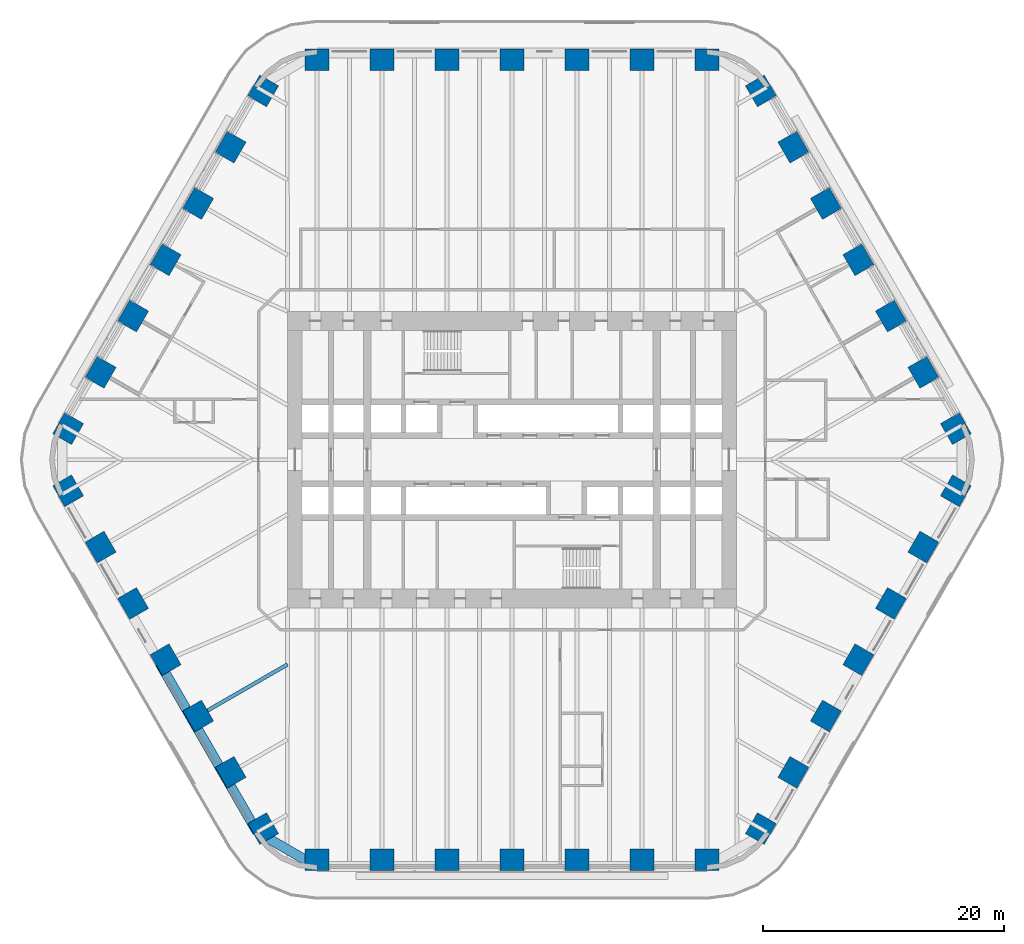
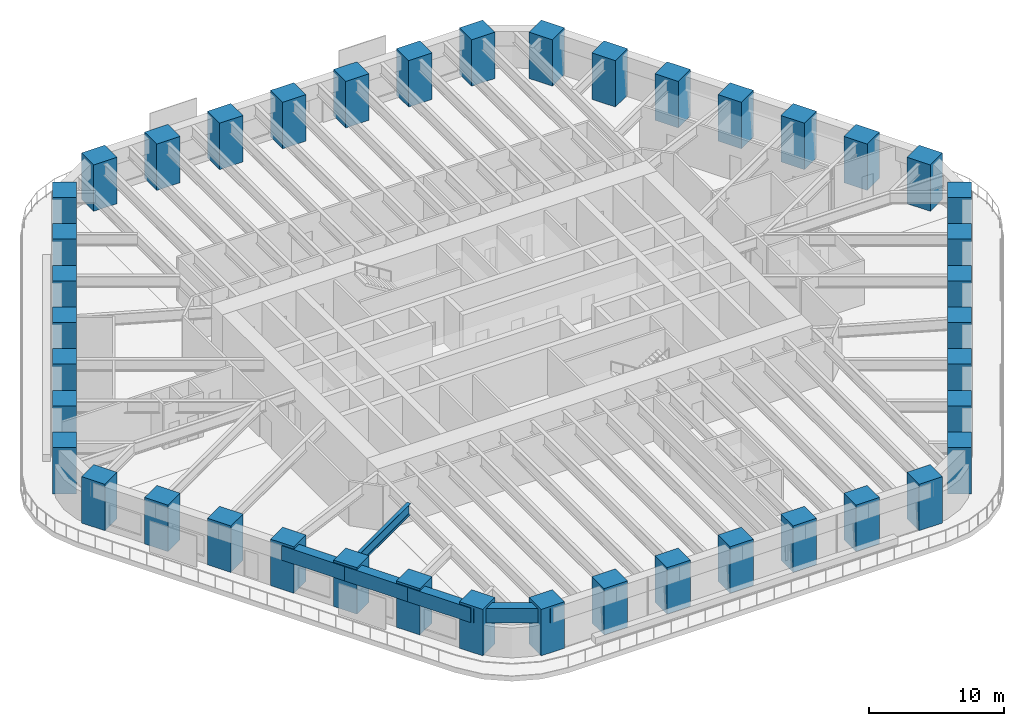
# One storey, part 1 of 23: 42 columns, 5 beams.
"""IFC4 building model written with IfcOpenShell, lengths in metres."""

from ifc_helpers import new_model, si_unit, direction, frame, origin, origin_2d, place, context, subcontext, project, spatial, rectangle, i_section, extrude, material, material_profile, profile_set, type_object, element, save


model = new_model("IFC4")

# Units and contexts
model_context = context("Model", 3, precision=1e-05, world=origin(), true_north=direction((0.0, 1.0)))
body_context = subcontext(model_context, "Body", "Model", "MODEL_VIEW")
ifc_project = project(units=[si_unit("LENGTHUNIT", "METRE"), si_unit("AREAUNIT", "SQUARE_METRE"), si_unit("VOLUMEUNIT", "CUBIC_METRE"), si_unit("PLANEANGLEUNIT", "RADIAN"), si_unit("MASSUNIT", "GRAM", prefix="KILO")], contexts=[model_context])

# Site, building, storey
site_placement = place(None, origin())
site = spatial("IfcSite", under=ifc_project, at=site_placement, CompositionType="ELEMENT")
building_placement = place(site_placement, origin())
building = spatial("IfcBuilding", under=site, at=building_placement, Name="Tarfa Lantern Tower", CompositionType="ELEMENT")
storey_placement = place(building_placement, frame((0.0, 0.0, 48.699951171875)))
storey = spatial("IfcBuildingStorey", under=building, at=storey_placement, Name="L10", CompositionType="ELEMENT", Elevation=48.699951171875)

# Columns
ifc_material_1 = material(Name="Concrete C80/95", Category="concrete")
ifc_material_profile_1 = material_profile(ifc_material_1, rectangle(XDim=2.0, YDim=1.800048828125, at=origin_2d()), Name="RC 2000x1800")
ifc_profile_set_1 = profile_set([ifc_material_profile_1], Name="Concrete C80/95")
column_type = type_object("IfcColumnType", Name="TC2 RC 2000x1800", PredefinedType="COLUMN", material=ifc_profile_set_1)
for number, where, z_axis, x_axis, name in (
    (1, (36.791748046875, 2.574951171875, 0.0), (0.0, 0.0, 1.0), (-0.5, 0.866025403784, 0.0), "Tube column NE0"),
    (2, (34.097412109375, 7.24169921875, 0.0), (0.0, 0.0, 1.0), (-0.5, 0.866025403784, 0.0), "Tube column NE1"),
    (3, (31.403076171875, 11.908447265625, 0.0), (0.0, 0.0, 1.0), (-0.5, 0.866025403784, 0.0), "Tube column NE2"),
    (4, (28.708740234375, 16.574951171875, 0.0), (0.0, 0.0, 1.0), (-0.5, 0.866025403784, 0.0), "Tube column NE3"),
    (5, (26.014404296875, 21.24169921875, 0.0), (0.0, 0.0, 1.0), (-0.5, 0.866025403784, 0.0), "Tube column NE4"),
    (6, (23.320068359375, 25.908447265625, 0.0), (0.0, 0.0, 1.0), (-0.5, 0.866025403784, 0.0), "Tube column NE5"),
    (7, (20.625732421875, 30.574951171875, 0.0), (0.0, 0.0, 1.0), (-0.5, 0.866025403784, 0.0), "Tube column NE6"),
    (8, (16.165771484375, 33.14990234375, 0.0), (0.0, 0.0, 1.0), (-1.0, 0.0, 0.0), "Tube column N0"),
    (9, (10.777099609375, 33.14990234375, 0.0), (0.0, 0.0, 1.0), (-1.0, 0.0, 0.0), "Tube column N1"),
    (10, (5.388671875, 33.14990234375, 0.0), (0.0, 0.0, 1.0), (-1.0, 0.0, 0.0), "Tube column N2"),
    (11, (0.0, 33.14990234375, 0.0), (0.0, 0.0, 1.0), (-1.0, 0.0, 0.0), "Tube column N3"),
    (12, (-5.388671875, 33.14990234375, 0.0), (0.0, 0.0, 1.0), (-1.0, 0.0, 0.0), "Tube column N4"),
    (13, (-10.777099609375, 33.14990234375, 0.0), (0.0, 0.0, 1.0), (-1.0, 0.0, 0.0), "Tube column N5"),
    (14, (-16.165771484375, 33.14990234375, 0.0), (0.0, 0.0, 1.0), (-1.0, 0.0, 0.0), "Tube column N6"),
    (15, (-20.625732421875, 30.574951171875, 0.0), (0.0, 0.0, 1.0), (-0.5, -0.866025403784, 0.0), "Tube column NW0"),
    (16, (-23.320068359375, 25.908447265625, 0.0), (0.0, 0.0, 1.0), (-0.5, -0.866025403784, 0.0), "Tube column NW1"),
    (17, (-26.014404296875, 21.24169921875, 0.0), (0.0, 0.0, 1.0), (-0.5, -0.866025403784, 0.0), "Tube column NW2"),
    (18, (-28.708740234375, 16.574951171875, 0.0), (0.0, 0.0, 1.0), (-0.5, -0.866025403784, 0.0), "Tube column NW3"),
    (19, (-31.403076171875, 11.908447265625, 0.0), (0.0, 0.0, 1.0), (-0.5, -0.866025403784, 0.0), "Tube column NW4"),
    (20, (-34.097412109375, 7.24169921875, 0.0), (0.0, 0.0, 1.0), (-0.5, -0.866025403784, 0.0), "Tube column NW5"),
    (21, (-36.791748046875, 2.574951171875, 0.0), (0.0, 0.0, 1.0), (-0.5, -0.866025403784, 0.0), "Tube column NW6"),
    (22, (-36.791748046875, -2.574951171875, 0.0), (0.0, 0.0, 1.0), (0.5, -0.866025403784, 0.0), "Tube column SW0"),
    (23, (-34.097412109375, -7.24169921875, 0.0), (0.0, 0.0, 1.0), (0.5, -0.866025403784, 0.0), "Tube column SW1"),
    (24, (-31.403076171875, -11.908447265625, 0.0), (0.0, 0.0, 1.0), (0.5, -0.866025403784, 0.0), "Tube column SW2"),
    (25, (-28.708740234375, -16.574951171875, 0.0), (0.0, 0.0, 1.0), (0.5, -0.866025403784, 0.0), "Tube column SW3"),
    (26, (-26.014404296875, -21.24169921875, 0.0), (0.0, 0.0, 1.0), (0.5, -0.866025403784, 0.0), "Tube column SW4"),
    (27, (-23.320068359375, -25.908447265625, 0.0), (0.0, 0.0, 1.0), (0.5, -0.866025403784, 0.0), "Tube column SW5"),
    (28, (-20.625732421875, -30.574951171875, 0.0), (0.0, 0.0, 1.0), (0.5, -0.866025403784, 0.0), "Tube column SW6"),
    (29, (-16.165771484375, -33.14990234375, 0.0), (0.0, 0.0, 1.0), (1.0, 0.0, 0.0), "Tube column S0"),
    (30, (-10.777099609375, -33.14990234375, 0.0), (0.0, 0.0, 1.0), (1.0, 0.0, 0.0), "Tube column S1"),
    (31, (-5.388671875, -33.14990234375, 0.0), (0.0, 0.0, 1.0), (1.0, 0.0, 0.0), "Tube column S2"),
    (32, (0.0, -33.14990234375, 0.0), (0.0, 0.0, 1.0), (1.0, 0.0, 0.0), "Tube column S3"),
    (33, (5.388671875, -33.14990234375, 0.0), (0.0, 0.0, 1.0), (1.0, 0.0, 0.0), "Tube column S4"),
    (34, (10.777099609375, -33.14990234375, 0.0), (0.0, 0.0, 1.0), (1.0, 0.0, 0.0), "Tube column S5"),
    (35, (16.165771484375, -33.14990234375, 0.0), (0.0, 0.0, 1.0), (1.0, 0.0, 0.0), "Tube column S6"),
    (36, (20.625732421875, -30.574951171875, 0.0), (0.0, 0.0, 1.0), (0.5, 0.866025403784, 0.0), "Tube column SE0"),
    (37, (23.320068359375, -25.908447265625, 0.0), (0.0, 0.0, 1.0), (0.5, 0.866025403784, 0.0), "Tube column SE1"),
    (38, (26.014404296875, -21.24169921875, 0.0), (0.0, 0.0, 1.0), (0.5, 0.866025403784, 0.0), "Tube column SE2"),
    (39, (28.708740234375, -16.574951171875, 0.0), (0.0, 0.0, 1.0), (0.5, 0.866025403784, 0.0), "Tube column SE3"),
    (40, (31.403076171875, -11.908447265625, 0.0), (0.0, 0.0, 1.0), (0.5, 0.866025403784, 0.0), "Tube column SE4"),
    (41, (34.097412109375, -7.24169921875, 0.0), (0.0, 0.0, 1.0), (0.5, 0.866025403784, 0.0), "Tube column SE5"),
    (42, (36.791748046875, -2.574951171875, 0.0), (0.0, 0.0, 1.0), (0.5, 0.866025403784, 0.0), "Tube column SE6"),
):
    element("IfcColumn", number, at=place(storey_placement, frame(where, z_axis=z_axis, x_axis=x_axis)), inside=storey, type_object=column_type, Name=name, PredefinedType="COLUMN", context=body_context, shape_type="SweptSolid", body=[
        extrude(rectangle(XDim=2.0, YDim=1.800048828125, at=origin_2d()), origin(), (0.0, 0.0, 1.0), 4.199951171875),
    ])

# Beams
ifc_material_profile_2 = material_profile(ifc_material_1, rectangle(XDim=0.800048828125, YDim=1.300048828125, at=origin_2d()), Name="RC 800x1300")
ifc_profile_set_2 = profile_set([ifc_material_profile_2], Name="Concrete C80/95")
beam_type_1 = type_object("IfcBeamType", Name="EB1 RC 800x1300", PredefinedType="SPANDREL", material=ifc_profile_set_2)
beam_1_placement = place(storey_placement, frame((-29.202392578125, -16.860107421875, 3.35009765625), z_axis=(0.500017906299, -0.866015065331, 0.0), x_axis=(0.866015065331, 0.500017906299, 0.0)))
element("IfcBeam", 43, at=beam_1_placement, inside=storey, type_object=beam_type_1, Name="Edge beam SW3", PredefinedType="SPANDREL", context=body_context, shape_type="SweptSolid", body=[
    extrude(rectangle(XDim=0.800048828125, YDim=1.300048828125, at=origin_2d()), origin(), (0.0, 0.0, 1.0), 5.388427734375),
])
for number, where, z_axis, x_axis, name in (
    (44, (-26.508056640625, -21.526611328125, 3.35009765625), (0.499998287579, -0.866026392449, 0.0), (0.866026392449, 0.499998287579, 0.0), "Edge beam SW4"),
    (45, (-23.813720703125, -26.193359375, 3.35009765625), (0.499998287579, -0.866026392449, 0.0), (0.866026392449, 0.499998287579, 0.0), "Edge beam SW5"),
):
    element("IfcBeam", number, at=place(storey_placement, frame(where, z_axis=z_axis, x_axis=x_axis)), inside=storey, type_object=beam_type_1, Name=name, PredefinedType="SPANDREL", context=body_context, shape_type="SweptSolid", body=[
        extrude(rectangle(XDim=0.800048828125, YDim=1.300048828125, at=origin_2d()), origin(), (0.0, 0.0, 1.0), 5.388671875),
    ])
beam_2_placement = place(storey_placement, frame((-21.119384765625, -30.860107421875, 3.35009765625), z_axis=(0.866033479681, -0.499986011877, 0.0), x_axis=(0.499986011877, 0.866033479681, 0.0)))
element("IfcBeam", 46, at=beam_2_placement, inside=storey, type_object=beam_type_1, Name="Edge beam SW6", PredefinedType="SPANDREL", context=body_context, shape_type="SweptSolid", body=[
    extrude(rectangle(XDim=0.800048828125, YDim=1.300048828125, at=origin_2d()), origin(), (0.0, 0.0, 1.0), 5.719970703125),
])
ifc_material_2 = material(Name="Steel S460M", Category="steel")
ifc_material_profile_3 = material_profile(ifc_material_2, i_section(OverallWidth=0.302001953125, OverallDepth=1.008056640625, WebThickness=0.02099609375, FlangeThickness=0.0400390625, FilletRadius=0.030029296875, at=origin_2d()), Name="UB1016x305x349")
ifc_profile_set_3 = profile_set([ifc_material_profile_3], Name="Steel S460M")
beam_type_2 = type_object("IfcBeamType", Name="UB1016x305x349", PredefinedType="BEAM", material=ifc_profile_set_3)
beam_3_placement = place(storey_placement, frame((-26.508056640625, -21.526611328125, 3.49609375), z_axis=(0.866035355799, 0.49998276221, 0.0), x_axis=(-0.49998276221, 0.866035355799, 0.0)))
element("IfcBeam", 47, at=beam_3_placement, inside=storey, type_object=beam_type_2, Name="Floor beam SW4", PredefinedType="BEAM", context=body_context, shape_type="SweptSolid", body=[
    extrude(i_section(OverallWidth=0.302001953125, OverallDepth=1.008056640625, WebThickness=0.02099609375, FlangeThickness=0.0400390625, FilletRadius=0.030029296875, at=origin_2d()), origin(), (0.0, 0.0, 1.0), 9.119873046875),
])

save(model, "model.ifc")
